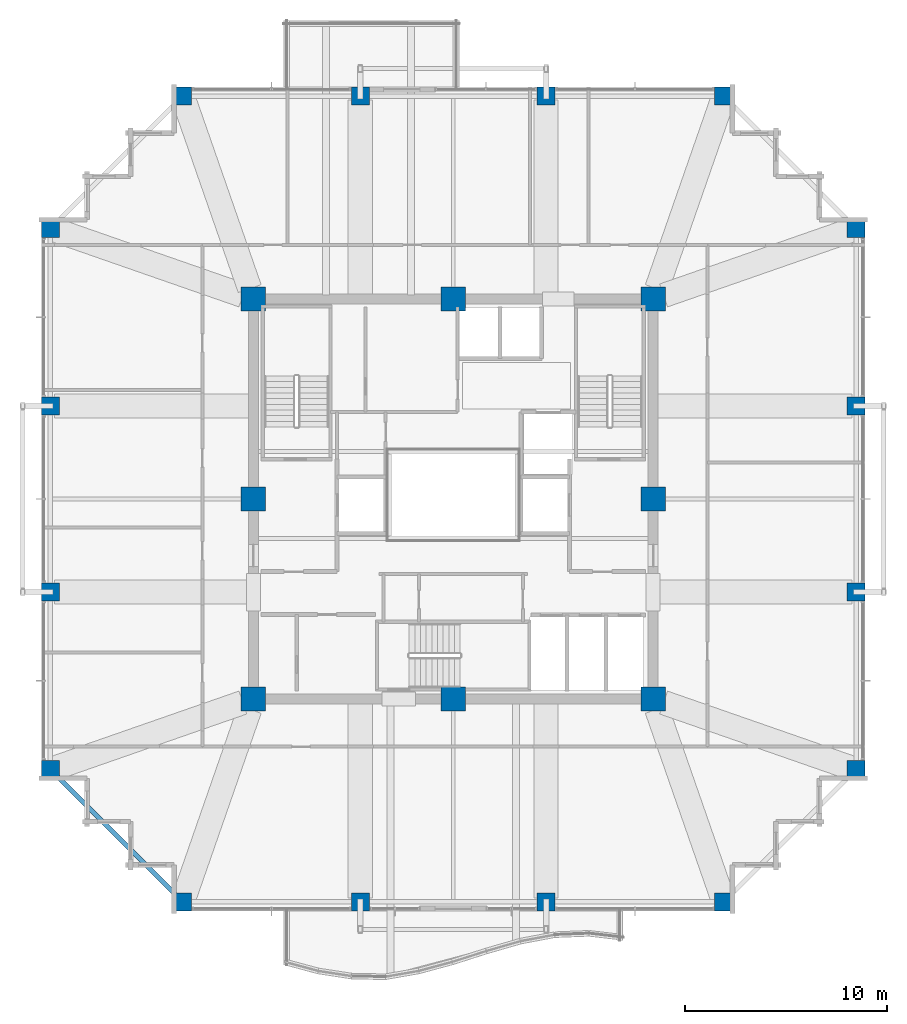
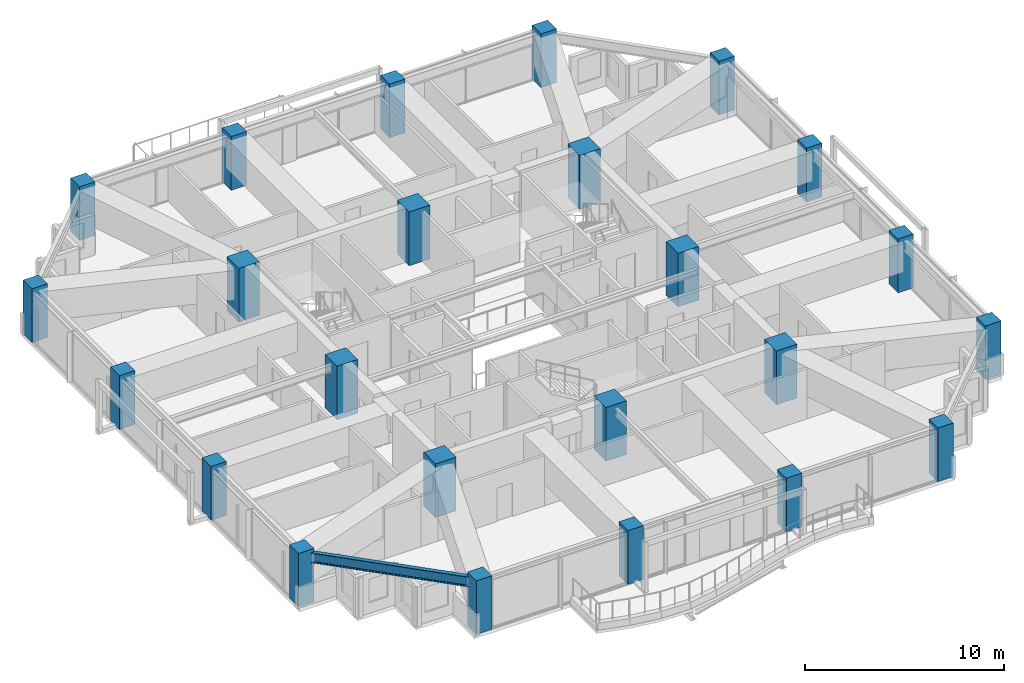
# One storey, part 1 of 37: 24 columns, 1 beam.
"""IFC4 building model written with IfcOpenShell, lengths in metres."""

import ifcopenshell
import ifcopenshell.guid

model = None  # the IFC model being written
_history = None  # IfcOwnerHistory: only IFC2X3 demands one
_inside = {}  # id of a spatial element -> (the spatial element, [elements in it])
_under = {}  # id of a project, library or spatial element -> (it, [spatial elements below it])
_declared = {}  # id of a project -> (the project, [libraries it declares])
_typed = {}  # id of a type object -> (the type object, [elements of that type])
_made_of = {}  # id of a material, layer set ... -> (it, [elements and type objects made of it])


def new_model(schema):
    """Start an empty IFC model of exactly this schema.

    Asked for "IFC4X3", IfcOpenShell would pick the latest addendum, in which some entities
    have other attributes; the version numbers below select the first issue.
    IFC2X3 requires an IfcOwnerHistory on every rooted entity: one is made here for all.
    """
    global model, _history
    if schema == "IFC4X3":
        model = ifcopenshell.file(schema_version=(4, 3, 0, 0))
    else:
        model = ifcopenshell.file(schema=schema)
    _inside.clear()
    _under.clear()
    _declared.clear()
    _typed.clear()
    _made_of.clear()
    _history = None
    if model.schema == "IFC2X3":
        org = make("IfcOrganization", Name="unknown")
        user = make(
            "IfcPersonAndOrganization",
            ThePerson=make("IfcPerson", FamilyName="unknown"),
            TheOrganization=org,
        )
        app = make(
            "IfcApplication",
            ApplicationDeveloper=org,
            Version="unknown",
            ApplicationFullName="unknown",
            ApplicationIdentifier="unknown",
        )
        _history = make(
            "IfcOwnerHistory",
            OwningUser=user,
            OwningApplication=app,
            ChangeAction="ADDED",
            CreationDate=0,
        )
    return model


def make(cls, **values):
    """One entity of the class cls with the attributes given. An attribute that is None is left unset."""
    return model.create_entity(
        cls, **{name: value for name, value in values.items() if value is not None}
    )


def rooted(cls, **values):
    """An entity with a GlobalId (a new one), such as an element, a storey or a relation."""
    return make(cls, GlobalId=ifcopenshell.guid.new(), OwnerHistory=_history, **values)


def si_unit(unit_type, name, prefix=None):
    """IfcSIUnit, for example si_unit("LENGTHUNIT", "METRE", prefix="MILLI")."""
    return make("IfcSIUnit", UnitType=unit_type, Prefix=prefix, Name=name)


def assignment(units):
    """IfcUnitAssignment: the units of a project."""
    return None if units is None else make("IfcUnitAssignment", Units=units)


def point(xyz):
    """IfcCartesianPoint."""
    return None if xyz is None else make("IfcCartesianPoint", Coordinates=xyz)


def direction(xyz):
    """IfcDirection."""
    return None if xyz is None else make("IfcDirection", DirectionRatios=xyz)


def frame(location, z_axis=None, x_axis=None):
    """IfcAxis2Placement3D, a coordinate frame: its origin and axes. An axis left out is left unset."""
    return make(
        "IfcAxis2Placement3D",
        Location=point(location),
        Axis=direction(z_axis),
        RefDirection=direction(x_axis),
    )


def frame_2d(location, x_axis=None):
    """IfcAxis2Placement2D, a coordinate frame in the plane: its origin and x axis."""
    return make(
        "IfcAxis2Placement2D", Location=point(location), RefDirection=direction(x_axis)
    )


def origin():
    """The frame at (0, 0, 0) with its axes left unset."""
    return frame((0.0, 0.0, 0.0))


def origin_2d():
    """The frame at (0, 0) in the plane with its x axis left unset."""
    return frame_2d((0.0, 0.0))


def place(relative_to, where):
    """IfcLocalPlacement: puts the frame where relative to a parent placement (None: the world)."""
    return make(
        "IfcLocalPlacement", PlacementRelTo=relative_to, RelativePlacement=where
    )


def context(
    kind, dimensions, precision=None, world=None, true_north=None, identifier=None
):
    """IfcGeometricRepresentationContext, for example the 3D "Model" context."""
    return make(
        "IfcGeometricRepresentationContext",
        ContextIdentifier=identifier,
        ContextType=kind,
        CoordinateSpaceDimension=dimensions,
        Precision=precision,
        WorldCoordinateSystem=world,
        TrueNorth=true_north,
    )


def subcontext(parent, identifier, kind, view, scale=None):
    """IfcGeometricRepresentationSubContext, for example "Body" below "Model"."""
    return make(
        "IfcGeometricRepresentationSubContext",
        ContextIdentifier=identifier,
        ContextType=kind,
        ParentContext=parent,
        TargetScale=scale,
        TargetView=view,
    )


def project(units=None, contexts=None):
    """IfcProject with its units and contexts."""
    return rooted(
        "IfcProject",
        Name="project",
        RepresentationContexts=contexts,
        UnitsInContext=assignment(units),
    )


def spatial(cls, under=None, at=None, **own):
    """A site, building, storey or space (cls), placed at a placement, below another one or the project."""
    s = rooted(cls, ObjectPlacement=at, **own)
    if under is not None:
        _under.setdefault(under.id(), (under, []))[1].append(s)
    return s


def profile(cls, at=None, kind="AREA", **sizes):
    """A parametric profile (cls). Its sizes go by their IFC names, for example OverallWidth=200.0."""
    return make(cls, ProfileType=kind, Position=at, **sizes)


def rectangle(**sizes):
    """IfcRectangleProfileDef."""
    return profile("IfcRectangleProfileDef", **sizes)


def i_section(**sizes):
    """IfcIShapeProfileDef."""
    return profile("IfcIShapeProfileDef", **sizes)


def extrude(swept, where, along, depth):
    """IfcExtrudedAreaSolid: the profile swept, set in the frame where, extruded along a direction by depth."""
    return make(
        "IfcExtrudedAreaSolid",
        SweptArea=swept,
        Position=where,
        ExtrudedDirection=direction(along),
        Depth=depth,
    )


def shape(context_of_items, identifier, shape_type, items):
    """IfcShapeRepresentation: the items that make up one representation, for example the "Body"."""
    return make(
        "IfcShapeRepresentation",
        ContextOfItems=context_of_items,
        RepresentationIdentifier=identifier,
        RepresentationType=shape_type,
        Items=items,
    )


def material(Name=None, Category=None):
    """IfcMaterial."""
    return make("IfcMaterial", Name=Name, Category=Category)


def material_profile(
    of_material, cross_section, Name=None, Category=None, Priority=None
):
    """IfcMaterialProfile: a cross section and its material."""
    return make(
        "IfcMaterialProfile",
        Name=Name,
        Material=of_material,
        Profile=cross_section,
        Priority=Priority,
        Category=Category,
    )


def profile_set(profiles, Name=None, composite=None):
    """IfcMaterialProfileSet."""
    return make(
        "IfcMaterialProfileSet",
        Name=Name,
        MaterialProfiles=profiles,
        CompositeProfile=composite,
    )


def made_of(thing, what):
    """Note that an element or type object is made of a material, layer set ...; save() writes the relation."""
    if what is not None:
        _made_of.setdefault(what.id(), (what, []))[1].append(thing)
    return thing


def type_object(cls, material=None, **own):
    """A type object (cls), such as IfcWallType, which elements share."""
    return made_of(rooted(cls, **own), material)


def element(
    cls,
    number,
    at=None,
    inside=None,
    cuts=None,
    type_object=None,
    material=None,
    context=None,
    identifier="Body",
    shape_type=None,
    held_by="IfcProductDefinitionShape",
    body=None,
    shapes=None,
    **own,
):
    """One element of the class cls, such as IfcWall. Its Tag is "e" and its number.

    at: its placement. inside: the storey or other place that contains it. cuts: it is an
    opening in that element (IfcRelVoidsElement). A single representation is given by context,
    identifier, shape_type and body (its items); several are given by shapes. held_by: the class
    of the entity that holds the representations. save() writes the other relations.
    """
    e = rooted(cls, Tag="e%d" % number, ObjectPlacement=at, **own)
    if body is not None:
        shapes = [shape(context, identifier, shape_type, body)]
    if shapes is not None:
        e.Representation = make(held_by, Representations=shapes)
    if inside is not None:
        _inside.setdefault(inside.id(), (inside, []))[1].append(e)
    if cuts is not None:
        rooted(
            "IfcRelVoidsElement", RelatingBuildingElement=cuts, RelatedOpeningElement=e
        )
    if type_object is not None:
        _typed.setdefault(type_object.id(), (type_object, []))[1].append(e)
    return made_of(e, material)


def aggregate(whole, parts):
    """IfcRelAggregates: a whole, such as a stair, and the parts it consists of."""
    return rooted("IfcRelAggregates", RelatingObject=whole, RelatedObjects=parts)


def save(model, path):
    """Write the relations noted so far, then the file.

    IfcRelAggregates (storeys below a building ...), IfcRelContainedInSpatialStructure (elements
    in a storey), IfcRelDefinesByType, IfcRelAssociatesMaterial and IfcRelDeclares: one each for
    every whole, place, type object, material and project.
    """
    for whole, parts in _under.values():
        aggregate(whole, parts)
    for where, things in _inside.values():
        rooted(
            "IfcRelContainedInSpatialStructure",
            RelatedElements=things,
            RelatingStructure=where,
        )
    for kind, things in _typed.values():
        rooted("IfcRelDefinesByType", RelatedObjects=things, RelatingType=kind)
    for what, things in _made_of.values():
        rooted("IfcRelAssociatesMaterial", RelatedObjects=things, RelatingMaterial=what)
    for by, libraries in _declared.values():
        rooted("IfcRelDeclares", RelatingContext=by, RelatedDefinitions=libraries)
    model.write(path)


model = new_model("IFC4")

# Units and contexts
model_context = context("Model", 3, precision=1e-05, world=origin(), true_north=direction((0.0, 1.0)))
body_context = subcontext(model_context, "Body", "Model", "MODEL_VIEW")
ifc_project = project(units=[si_unit("LENGTHUNIT", "METRE"), si_unit("AREAUNIT", "SQUARE_METRE"), si_unit("VOLUMEUNIT", "CUBIC_METRE"), si_unit("PLANEANGLEUNIT", "RADIAN"), si_unit("MASSUNIT", "GRAM", prefix="KILO")], contexts=[model_context])

# Site, building, storey
site_placement = place(None, origin())
site = spatial("IfcSite", under=ifc_project, at=site_placement, CompositionType="ELEMENT")
building_placement = place(site_placement, origin())
building = spatial("IfcBuilding", under=site, at=building_placement, Name="Kolvaren Belvedere", CompositionType="ELEMENT")
storey_placement = place(building_placement, frame((0.0, 0.0, 186.60009765625)))
storey = spatial("IfcBuildingStorey", under=building, at=storey_placement, Name="L54", CompositionType="ELEMENT", Elevation=186.60009765625)

# Columns
ifc_material_1 = material(Name="Concrete C60/75", Category="concrete")
ifc_material_profile_1 = material_profile(ifc_material_1, rectangle(XDim=1.199951171875, YDim=1.199951171875, at=origin_2d()), Name="RC 1200X1200")
ifc_profile_set_1 = profile_set([ifc_material_profile_1], Name="Concrete C60/75")
column_type_1 = type_object("IfcColumnType", Name="COL-RC-1200", PredefinedType="COLUMN", material=ifc_profile_set_1)
for number, where, z_axis, x_axis, name in (
    (1, (-9.89990234375, -9.89990234375, 0.0), (0.0, 0.0, 1.0), (1.0, 0.0, 0.0), "L54 Core Column CC1"),
    (2, (9.89990234375, -9.89990234375, 0.0), (0.0, 0.0, 1.0), (1.0, 0.0, 0.0), "L54 Core Column CC2"),
    (3, (9.89990234375, 9.89990234375, 0.0), (0.0, 0.0, 1.0), (1.0, 0.0, 0.0), "L54 Core Column CC3"),
    (4, (-9.89990234375, 9.89990234375, 0.0), (0.0, 0.0, 1.0), (1.0, 0.0, 0.0), "L54 Core Column CC4"),
    (5, (0.0, -9.89990234375, 0.0), (0.0, 0.0, 1.0), (1.0, 0.0, 0.0), "L54 Core Column CM1"),
    (6, (9.89990234375, 0.0, 0.0), (0.0, 0.0, 1.0), (1.0, 0.0, 0.0), "L54 Core Column CM2"),
    (7, (0.0, 9.89990234375, 0.0), (0.0, 0.0, 1.0), (1.0, 0.0, 0.0), "L54 Core Column CM3"),
    (8, (-9.89990234375, 0.0, 0.0), (0.0, 0.0, 1.0), (1.0, 0.0, 0.0), "L54 Core Column CM4"),
):
    element("IfcColumn", number, at=place(storey_placement, frame(where, z_axis=z_axis, x_axis=x_axis)), inside=storey, type_object=column_type_1, Name=name, PredefinedType="COLUMN", context=body_context, shape_type="SweptSolid", body=[
        extrude(rectangle(XDim=1.199951171875, YDim=1.199951171875, at=origin_2d()), origin(), (0.0, 0.0, 1.0), 3.2998046875),
    ])
ifc_material_2 = material(Name="Concrete C50/60", Category="concrete")
ifc_material_profile_2 = material_profile(ifc_material_2, rectangle(XDim=0.89990234375, YDim=0.89990234375, at=origin_2d()), Name="RC 900X900")
ifc_profile_set_2 = profile_set([ifc_material_profile_2], Name="Concrete C50/60")
column_type_2 = type_object("IfcColumnType", Name="COL-RC-900", PredefinedType="COLUMN", material=ifc_profile_set_2)
for number, where, z_axis, x_axis, name in (
    (9, (-13.39990234375, -19.949951171875, 0.0), (0.0, 0.0, 1.0), (1.0, 0.0, 0.0), "L54 Perimeter Column S1"),
    (10, (-4.60009765625, -19.949951171875, 0.0), (0.0, 0.0, 1.0), (1.0, 0.0, 0.0), "L54 Perimeter Column S2"),
    (11, (4.60009765625, -19.949951171875, 0.0), (0.0, 0.0, 1.0), (1.0, 0.0, 0.0), "L54 Perimeter Column S3"),
    (12, (13.39990234375, -19.949951171875, 0.0), (0.0, 0.0, 1.0), (1.0, 0.0, 0.0), "L54 Perimeter Column S4"),
    (13, (-13.39990234375, 19.949951171875, 0.0), (0.0, 0.0, 1.0), (1.0, 0.0, 0.0), "L54 Perimeter Column N1"),
    (14, (-4.60009765625, 19.949951171875, 0.0), (0.0, 0.0, 1.0), (1.0, 0.0, 0.0), "L54 Perimeter Column N2"),
    (15, (4.60009765625, 19.949951171875, 0.0), (0.0, 0.0, 1.0), (1.0, 0.0, 0.0), "L54 Perimeter Column N3"),
    (16, (13.39990234375, 19.949951171875, 0.0), (0.0, 0.0, 1.0), (1.0, 0.0, 0.0), "L54 Perimeter Column N4"),
    (17, (-19.949951171875, -13.39990234375, 0.0), (0.0, 0.0, 1.0), (1.0, 0.0, 0.0), "L54 Perimeter Column W1"),
    (18, (-19.949951171875, -4.60009765625, 0.0), (0.0, 0.0, 1.0), (1.0, 0.0, 0.0), "L54 Perimeter Column W2"),
    (19, (-19.949951171875, 4.60009765625, 0.0), (0.0, 0.0, 1.0), (1.0, 0.0, 0.0), "L54 Perimeter Column W3"),
    (20, (-19.949951171875, 13.39990234375, 0.0), (0.0, 0.0, 1.0), (1.0, 0.0, 0.0), "L54 Perimeter Column W4"),
    (21, (19.949951171875, -13.39990234375, 0.0), (0.0, 0.0, 1.0), (1.0, 0.0, 0.0), "L54 Perimeter Column E1"),
    (22, (19.949951171875, -4.60009765625, 0.0), (0.0, 0.0, 1.0), (1.0, 0.0, 0.0), "L54 Perimeter Column E2"),
    (23, (19.949951171875, 4.60009765625, 0.0), (0.0, 0.0, 1.0), (1.0, 0.0, 0.0), "L54 Perimeter Column E3"),
    (24, (19.949951171875, 13.39990234375, 0.0), (0.0, 0.0, 1.0), (1.0, 0.0, 0.0), "L54 Perimeter Column E4"),
):
    element("IfcColumn", number, at=place(storey_placement, frame(where, z_axis=z_axis, x_axis=x_axis)), inside=storey, type_object=column_type_2, Name=name, PredefinedType="COLUMN", context=body_context, shape_type="SweptSolid", body=[
        extrude(rectangle(XDim=0.89990234375, YDim=0.89990234375, at=origin_2d()), origin(), (0.0, 0.0, 1.0), 3.2998046875),
    ])

# Beam
ifc_material_3 = material(Name="Structural steel ASTM A992 Grade 50", Category="steel")
ifc_material_profile_3 = material_profile(ifc_material_3, i_section(OverallWidth=0.22900390625, OverallDepth=0.612060546875, WebThickness=0.011962890625, FlangeThickness=0.01953125, FilletRadius=0.01806640625, at=origin_2d()), Name="W24X84")
ifc_profile_set_3 = profile_set([ifc_material_profile_3], Name="Structural steel ASTM A992 Grade 50")
beam_type = type_object("IfcBeamType", Name="BM-SPAN-W24X84", PredefinedType="SPANDREL", material=ifc_profile_set_3)
beam_placement = place(storey_placement, frame((-19.806884765625, -13.543212890625, 2.77392578125), z_axis=(0.707106781187, -0.707106781187, 0.0), x_axis=(0.707106781187, 0.707106781187, 0.0)))
element("IfcBeam", 25, at=beam_placement, inside=storey, type_object=beam_type, Name="L54 Perimeter Spandrel W1-S1", PredefinedType="SPANDREL", context=body_context, shape_type="SweptSolid", body=[
    extrude(i_section(OverallWidth=0.22900390625, OverallDepth=0.612060546875, WebThickness=0.011962890625, FlangeThickness=0.01953125, FilletRadius=0.01806640625, at=origin_2d()), origin(), (0.0, 0.0, 1.0), 8.858154296875),
])

save(model, "model.ifc")
